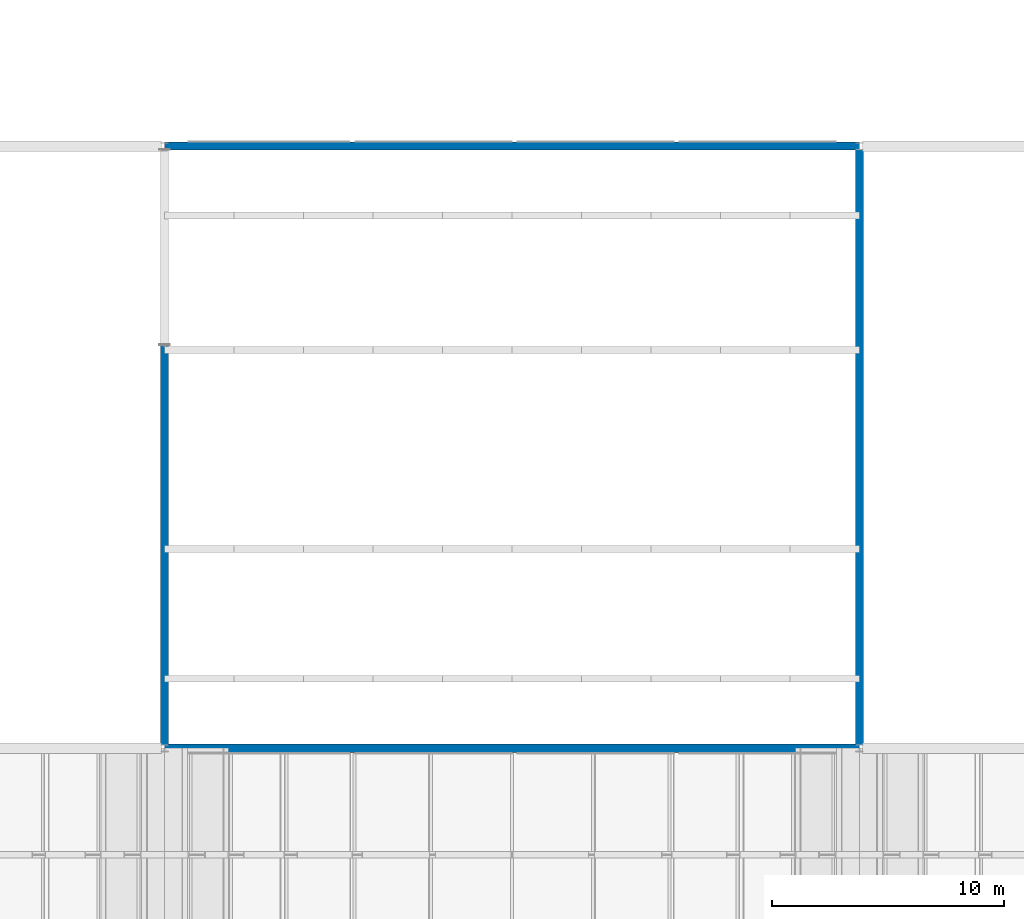
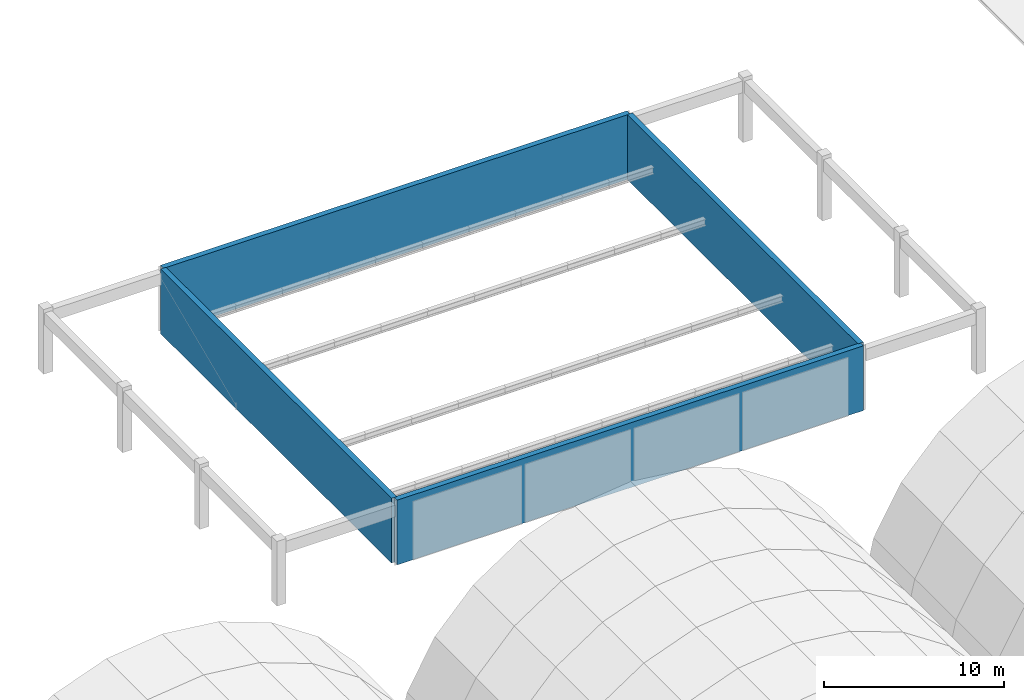
# One storey, part 39 of 47: 4 walls.
"""IFC4 building model written with IfcOpenShell, lengths in metres."""

from ifc_helpers import new_model, si_unit, direction, frame, frame_2d, origin, place, context, subcontext, project, spatial, rectangle, extrude, material, layer, layer_set, type_object, element, save


model = new_model("IFC4")

# Units and contexts
model_context = context("Model", 3, precision=1e-05, world=origin(), true_north=direction((0.0, 1.0)))
body_context = subcontext(model_context, "Body", "Model", "MODEL_VIEW")
ifc_project = project(units=[si_unit("LENGTHUNIT", "METRE"), si_unit("AREAUNIT", "SQUARE_METRE"), si_unit("VOLUMEUNIT", "CUBIC_METRE"), si_unit("PLANEANGLEUNIT", "RADIAN"), si_unit("MASSUNIT", "GRAM", prefix="KILO")], contexts=[model_context])

# Site, building, storey
site_placement = place(None, origin())
site = spatial("IfcSite", under=ifc_project, at=site_placement, CompositionType="ELEMENT")
building_placement = place(site_placement, origin())
building = spatial("IfcBuilding", under=site, at=building_placement, Name="Muzn Square Opera House", CompositionType="ELEMENT")
storey_placement = place(building_placement, frame((0.0, 0.0, 31.0)))
storey = spatial("IfcBuildingStorey", under=building, at=storey_placement, Name="RF-1", CompositionType="ELEMENT", Elevation=31.0)

# Walls
ifc_material = material(Name="Concrete C45/55", Category="concrete")
ifc_layer = layer(ifc_material, 0.35009765625, Name="Concrete C45/55", Category="concrete")
ifc_layer_set = layer_set([ifc_layer], Name="Concrete C45/55")
wall_type = type_object("IfcWallType", Name="Fly Tower Shear Wall 350mm", PredefinedType="SHEAR", material=ifc_layer_set)
for number, where, z_axis, x_axis, name in (
    (1, (73.0, 72.739990234375, 0.0), (0.0, 0.0, 1.0), (0.0, 1.0, 0.0), "Fly Tower Shear Wall FTW-RF1-W"),
    (2, (103.0, 72.739990234375, 0.0), (0.0, 0.0, 1.0), (0.0, 1.0, 0.0), "Fly Tower Shear Wall FTW-RF1-E"),
):
    element("IfcWall", number, at=place(storey_placement, frame(where, z_axis=z_axis, x_axis=x_axis)), inside=storey, type_object=wall_type, Name=name, PredefinedType="SHEAR", context=body_context, shape_type="SweptSolid", body=[
        extrude(rectangle(XDim=25.719970703125, YDim=0.35009765625, at=frame_2d((12.85986328125, 0.0))), origin(), (0.0, 0.0, 1.0), 4.39990234375),
    ])
for number, where, z_axis, x_axis, name in (
    (3, (73.0048828125, 72.60009765625, 0.0), (0.0, 0.0, 1.0), (1.0, 0.0, 0.0), "Fly Tower Shear Wall FTW-RF1-S"),
    (4, (73.0048828125, 98.60009765625, 0.0), (0.0, 0.0, 1.0), (1.0, 0.0, 0.0), "Fly Tower Shear Wall FTW-RF1-N"),
):
    element("IfcWall", number, at=place(storey_placement, frame(where, z_axis=z_axis, x_axis=x_axis)), inside=storey, type_object=wall_type, Name=name, PredefinedType="SHEAR", context=body_context, shape_type="SweptSolid", body=[
        extrude(rectangle(XDim=29.990234375, YDim=0.35009765625, at=frame_2d((14.9951171875, 0.0))), origin(), (0.0, 0.0, 1.0), 4.39990234375),
    ])

save(model, "model.ifc")
